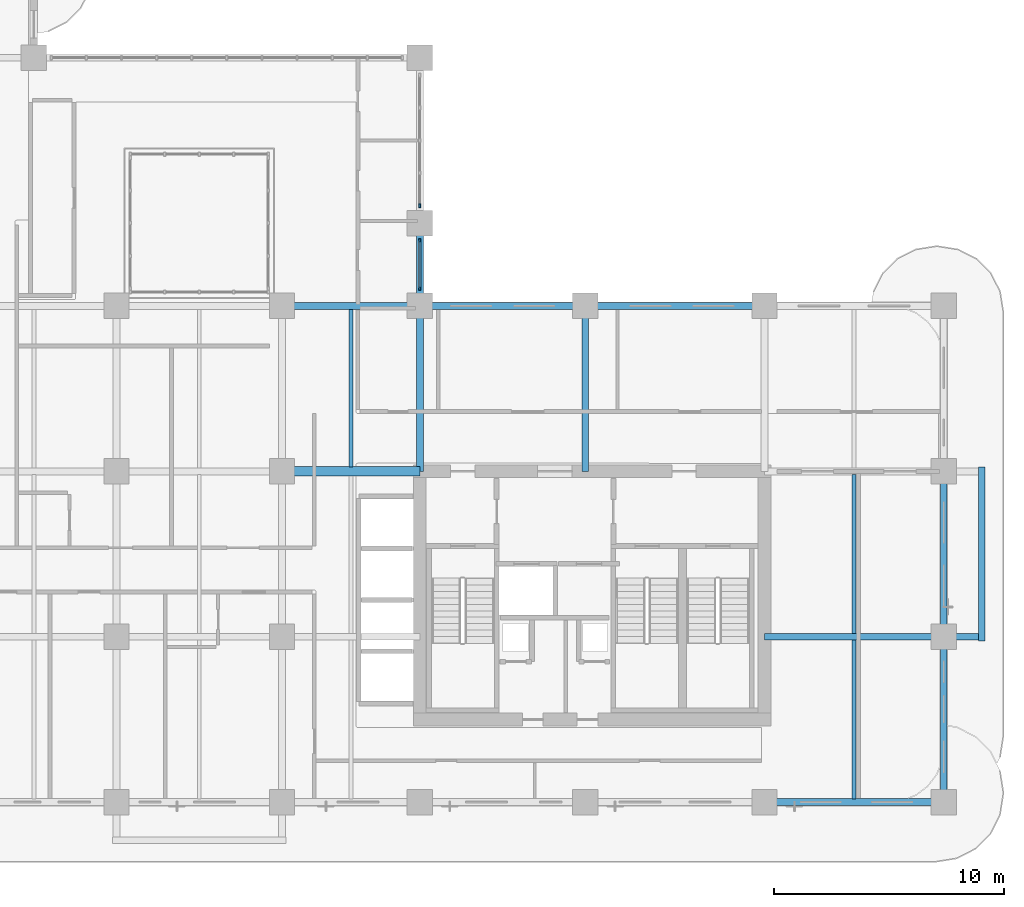
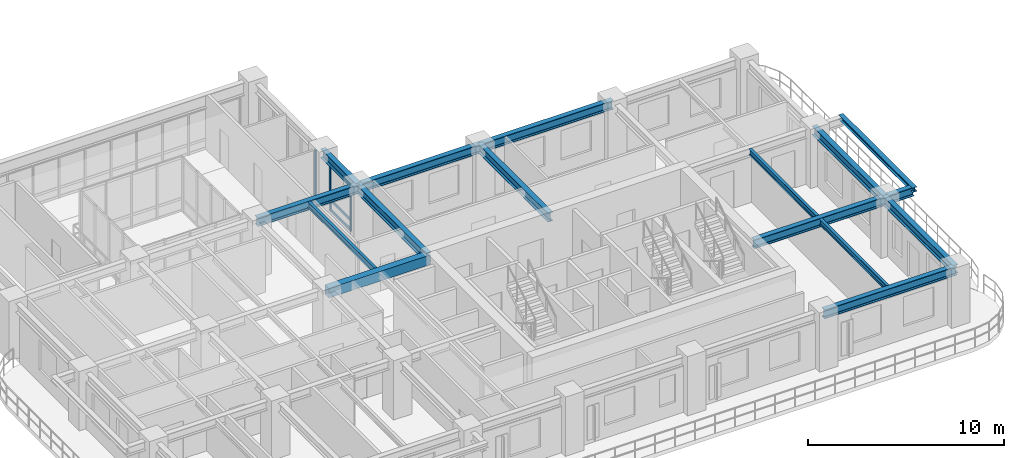
# One storey, part 4 of 22: 15 beams, 6 members, 2 elements without a shape of their own.
"""IFC4 building model written with IfcOpenShell, lengths in metres."""

from ifc_helpers import new_model, si_unit, derived_unit, direction, frame, origin, origin_2d, place, context, subcontext, project, spatial, rectangle, i_section, extrude, source, transform, mapped, material, layer, layer_set, material_profile, profile_set, type_object, type_shapes, element, aggregate, save


model = new_model("IFC4")

# Units and contexts
model_context = context("Model", 3, precision=1e-05, world=origin(), true_north=direction((0.0, 1.0)))
body_context = subcontext(model_context, "Body", "Model", "MODEL_VIEW")
ifc_project = project(units=[si_unit("LENGTHUNIT", "METRE"), si_unit("AREAUNIT", "SQUARE_METRE"), si_unit("VOLUMEUNIT", "CUBIC_METRE"), si_unit("PLANEANGLEUNIT", "RADIAN"), si_unit("MASSUNIT", "GRAM", prefix="KILO"), si_unit("THERMODYNAMICTEMPERATUREUNIT", "KELVIN"), si_unit("POWERUNIT", "WATT"), derived_unit("THERMALTRANSMITTANCEUNIT", [(si_unit("POWERUNIT", "WATT"), 1), (si_unit("AREAUNIT", "SQUARE_METRE"), -1), (si_unit("THERMODYNAMICTEMPERATUREUNIT", "KELVIN"), -1)])], contexts=[model_context])

# Site, building, storey
site_placement = place(None, origin())
site = spatial("IfcSite", under=ifc_project, at=site_placement, CompositionType="ELEMENT")
building_placement = place(site_placement, origin())
building = spatial("IfcBuilding", under=site, at=building_placement, Name="Zahravan Archway Hotel and Residences", CompositionType="ELEMENT")
storey_placement = place(building_placement, frame((0.0, 0.0, 99.0)))
storey = spatial("IfcBuildingStorey", under=building, at=storey_placement, Name="L24", CompositionType="ELEMENT", Elevation=99.0)

# Beams
ifc_material_1 = material(Name="Structural Steel S355JR", Category="steel")
ifc_material_profile_1 = material_profile(ifc_material_1, i_section(OverallWidth=0.280029296875, OverallDepth=0.280029296875, WebThickness=0.010498046875, FlangeThickness=0.01806640625, FilletRadius=0.02392578125, at=origin_2d()), Name="HEB 280", Category="steel")
ifc_profile_set_1 = profile_set([ifc_material_profile_1], Name="Structural Steel S355JR")
beam_type_1 = type_object("IfcBeamType", Name="BM-SPN-HEB280", PredefinedType="SPANDREL", material=ifc_profile_set_1)
shared_shape_1 = source(origin(), body_context, "Body", "SweptSolid", [
    extrude(i_section(OverallWidth=0.280029296875, OverallDepth=0.280029296875, WebThickness=0.010498046875, FlangeThickness=0.01806640625, FilletRadius=0.02392578125, at=origin_2d()), origin(), (0.0, 0.0, 1.0), 7.56005859375),
])
type_shapes(beam_type_1, [shared_shape_1])
beam_1_placement = place(storey_placement, frame((59.25, 7.02001953125, 3.31005859375), z_axis=(0.0, 1.0, 0.0), x_axis=(-1.0, 0.0, 0.0)))
element("IfcBeam", 1, at=beam_1_placement, inside=storey, type_object=beam_type_1, Name="L25 EA Balcony Edge Spandrel", PredefinedType="SPANDREL", context=body_context, shape_type="MappedRepresentation", body=[
    mapped(shared_shape_1, transform((0.0, 0.0, 0.0), scale=1.0)),
])
ifc_material_2 = material(Name="Concrete C60/75", Category="concrete")
ifc_material_profile_2 = material_profile(ifc_material_2, rectangle(XDim=0.39990234375, YDim=0.60009765625, at=origin_2d()), Name="RC-LNT-400x600", Category="concrete")
ifc_profile_set_2 = profile_set([ifc_material_profile_2], Name="Concrete C60/75")
beam_type_2 = type_object("IfcBeamType", Name="LNT-RC-400x600", PredefinedType="LINTEL", material=ifc_profile_set_2)
shared_shape_2 = source(origin(), body_context, "Body", "SweptSolid", [
    extrude(rectangle(XDim=0.39990234375, YDim=0.60009765625, at=origin_2d()), origin(), (0.0, 0.0, 1.0), 6.0),
])
type_shapes(beam_type_2, [shared_shape_2])
beam_2_placement = place(storey_placement, frame((28.800048828125, 14.39990234375, 3.14990234375), z_axis=(1.0, 0.0, 0.0), x_axis=(0.0, 1.0, 0.0)))
element("IfcBeam", 2, at=beam_2_placement, inside=storey, type_object=beam_type_2, Name="L24 Core A Coupling Lintel Beam", PredefinedType="LINTEL", context=body_context, shape_type="MappedRepresentation", body=[
    mapped(shared_shape_2, transform((0.0, 0.0, 0.0), scale=1.0)),
])
ifc_material_profile_3 = material_profile(ifc_material_1, i_section(OverallWidth=0.300048828125, OverallDepth=0.550048828125, WebThickness=0.014892578125, FlangeThickness=0.029052734375, FilletRadius=0.027099609375, at=origin_2d()), Name="HEB 550", Category="steel")
ifc_profile_set_3 = profile_set([ifc_material_profile_3], Name="Structural Steel S355JR")
beam_type_3 = type_object("IfcBeamType", Name="BM-PRI-HEB550", PredefinedType="BEAM", material=ifc_profile_set_3)
shared_shape_3 = source(origin(), body_context, "Body", "SweptSolid", [
    extrude(i_section(OverallWidth=0.300048828125, OverallDepth=0.550048828125, WebThickness=0.014892578125, FlangeThickness=0.029052734375, FilletRadius=0.027099609375, at=origin_2d()), origin(), (0.0, 0.0, 1.0), 7.2001953125),
])
type_shapes(beam_type_3, [shared_shape_3])
for number, where, z_axis, x_axis, name in (
    (3, (34.800048828125, 14.39990234375, 3.175048828125), (0.0, 1.0, 0.0), (-1.0, 0.0, 0.0), "L24 Primary Girder NS-45"),
    (4, (42.0, 14.39990234375, 3.175048828125), (0.0, 1.0, 0.0), (-1.0, 0.0, 0.0), "L24 Primary Girder NS-48"),
):
    element("IfcBeam", number, at=place(storey_placement, frame(where, z_axis=z_axis, x_axis=x_axis)), inside=storey, type_object=beam_type_3, Name=name, PredefinedType="BEAM", context=body_context, shape_type="MappedRepresentation", body=[
        mapped(shared_shape_3, transform((0.0, 0.0, 0.0), scale=1.0)),
    ])
shared_shape_4 = source(origin(), body_context, "Body", "SweptSolid", [
    extrude(i_section(OverallWidth=0.300048828125, OverallDepth=0.550048828125, WebThickness=0.014892578125, FlangeThickness=0.029052734375, FilletRadius=0.027099609375, at=origin_2d()), origin(), (0.0, 0.0, 1.0), 7.199951171875),
])
for number, where, z_axis, x_axis, name in (
    (5, (34.800048828125, 21.60009765625, 3.175048828125), (1.0, 0.0, 0.0), (0.0, 1.0, 0.0), "L24 Primary Girder EW-17"),
    (6, (57.60009765625, 0.0, 3.175048828125), (0.0, 1.0, 0.0), (-1.0, 0.0, 0.0), "L24 Primary Girder NS-50"),
    (7, (57.60009765625, 7.199951171875, 3.175048828125), (0.0, 1.0, 0.0), (-1.0, 0.0, 0.0), "L24 Primary Girder NS-51"),
):
    element("IfcBeam", number, at=place(storey_placement, frame(where, z_axis=z_axis, x_axis=x_axis)), inside=storey, type_object=beam_type_3, Name=name, PredefinedType="BEAM", context=body_context, shape_type="MappedRepresentation", body=[
        mapped(shared_shape_4, transform((0.0, 0.0, 0.0), scale=1.0)),
    ])
shared_shape_5 = source(origin(), body_context, "Body", "SweptSolid", [
    extrude(i_section(OverallWidth=0.300048828125, OverallDepth=0.550048828125, WebThickness=0.014892578125, FlangeThickness=0.029052734375, FilletRadius=0.027099609375, at=origin_2d()), origin(), (0.0, 0.0, 1.0), 6.0),
])
beam_3_placement = place(storey_placement, frame((28.800048828125, 21.60009765625, 3.175048828125), z_axis=(1.0, 0.0, 0.0), x_axis=(0.0, 1.0, 0.0)))
element("IfcBeam", 8, at=beam_3_placement, inside=storey, type_object=beam_type_3, Name="L24 Primary Girder EW-16", PredefinedType="BEAM", context=body_context, shape_type="MappedRepresentation", body=[
    mapped(shared_shape_5, transform((0.0, 0.0, 0.0), scale=1.0)),
])
shared_shape_6 = source(origin(), body_context, "Body", "SweptSolid", [
    extrude(i_section(OverallWidth=0.300048828125, OverallDepth=0.550048828125, WebThickness=0.014892578125, FlangeThickness=0.029052734375, FilletRadius=0.027099609375, at=origin_2d()), origin(), (0.0, 0.0, 1.0), 7.800048828125),
])
for number, where, z_axis, x_axis, name in (
    (9, (49.800048828125, 0.0, 3.175048828125), (1.0, 0.0, 0.0), (0.0, 1.0, 0.0), "L24 Primary Girder EW-06"),
    (10, (42.0, 21.60009765625, 3.175048828125), (1.0, 0.0, 0.0), (0.0, 1.0, 0.0), "L24 Primary Girder EW-18"),
):
    element("IfcBeam", number, at=place(storey_placement, frame(where, z_axis=z_axis, x_axis=x_axis)), inside=storey, type_object=beam_type_3, Name=name, PredefinedType="BEAM", context=body_context, shape_type="MappedRepresentation", body=[
        mapped(shared_shape_6, transform((0.0, 0.0, 0.0), scale=1.0)),
    ])
shared_shape_7 = source(origin(), body_context, "Body", "SweptSolid", [
    extrude(i_section(OverallWidth=0.300048828125, OverallDepth=0.550048828125, WebThickness=0.014892578125, FlangeThickness=0.029052734375, FilletRadius=0.027099609375, at=origin_2d()), origin(), (0.0, 0.0, 1.0), 9.449951171875),
])
beam_4_placement = place(storey_placement, frame((49.800048828125, 7.199951171875, 3.175048828125), z_axis=(1.0, 0.0, 0.0), x_axis=(0.0, 1.0, 0.0)))
element("IfcBeam", 11, at=beam_4_placement, inside=storey, type_object=beam_type_3, Name="L24 Primary Girder EW-10", PredefinedType="BEAM", context=body_context, shape_type="MappedRepresentation", body=[
    mapped(shared_shape_7, transform((0.0, 0.0, 0.0), scale=1.0)),
])
shared_shape_8 = source(origin(), body_context, "Body", "SweptSolid", [
    extrude(i_section(OverallWidth=0.300048828125, OverallDepth=0.550048828125, WebThickness=0.014892578125, FlangeThickness=0.029052734375, FilletRadius=0.027099609375, at=origin_2d()), origin(), (0.0, 0.0, 1.0), 3.599853515625),
])
beam_5_placement = place(storey_placement, frame((34.800048828125, 21.60009765625, 3.175048828125), z_axis=(0.0, 1.0, 0.0), x_axis=(-1.0, 0.0, 0.0)))
element("IfcBeam", 12, at=beam_5_placement, inside=storey, type_object=beam_type_3, Name="L24 Primary Girder NS-46", PredefinedType="BEAM", context=body_context, shape_type="MappedRepresentation", body=[
    mapped(shared_shape_8, transform((0.0, 0.0, 0.0), scale=1.0)),
])
ifc_material_profile_4 = material_profile(ifc_material_1, i_section(OverallWidth=0.169921875, OverallDepth=0.360107421875, WebThickness=0.008056640625, FlangeThickness=0.0126953125, FilletRadius=0.01806640625, at=origin_2d()), Name="IPE 360", Category="steel")
ifc_profile_set_4 = profile_set([ifc_material_profile_4], Name="Structural Steel S355JR")
beam_type_4 = type_object("IfcBeamType", Name="BM-JST-IPE360", PredefinedType="JOIST", material=ifc_profile_set_4)
shared_shape_9 = source(origin(), body_context, "Body", "SweptSolid", [
    extrude(i_section(OverallWidth=0.169921875, OverallDepth=0.360107421875, WebThickness=0.008056640625, FlangeThickness=0.0126953125, FilletRadius=0.01806640625, at=origin_2d()), origin(), (0.0, 0.0, 1.0), 6.904052734375),
])
type_shapes(beam_type_4, [shared_shape_9])
for number, where, z_axis, x_axis, name in (
    (13, (53.699951171875, 0.14794921875, 3.27001953125), (0.0, 1.0, 0.0), (-1.0, 0.0, 0.0), "L24 Composite Floor Joist 04"),
    (14, (53.699951171875, 7.347900390625, 3.27001953125), (0.0, 1.0, 0.0), (-1.0, 0.0, 0.0), "L24 Composite Floor Joist 08"),
):
    element("IfcBeam", number, at=place(storey_placement, frame(where, z_axis=z_axis, x_axis=x_axis)), inside=storey, type_object=beam_type_4, Name=name, PredefinedType="JOIST", context=body_context, shape_type="MappedRepresentation", body=[
        mapped(shared_shape_9, transform((0.0, 0.0, 0.0), scale=1.0)),
    ])
shared_shape_10 = source(origin(), body_context, "Body", "SweptSolid", [
    extrude(i_section(OverallWidth=0.169921875, OverallDepth=0.360107421875, WebThickness=0.008056640625, FlangeThickness=0.0126953125, FilletRadius=0.01806640625, at=origin_2d()), origin(), (0.0, 0.0, 1.0), 6.85400390625),
])
beam_6_placement = place(storey_placement, frame((31.800048828125, 14.597900390625, 3.27001953125), z_axis=(0.0, 1.0, 0.0), x_axis=(-1.0, 0.0, 0.0)))
element("IfcBeam", 15, at=beam_6_placement, inside=storey, type_object=beam_type_4, Name="L24 Composite Floor Joist 09", PredefinedType="JOIST", context=body_context, shape_type="MappedRepresentation", body=[
    mapped(shared_shape_10, transform((0.0, 0.0, 0.0), scale=1.0)),
])

# Curtain wall, members
ifc_material_3 = material(Name="Bronze-Anodized Unitised Aluminium & Low-E Glass", Category="aluminium")
ifc_layer = layer(ifc_material_3, 0.179931640625, Name="Bronze-Anodized Unitised Aluminium & Low-E Glass", Category="aluminium")
ifc_layer_set = layer_set([ifc_layer], Name="Bronze-Anodized Unitised Aluminium & Low-E Glass")
curtain_wall_type = type_object("IfcCurtainWallType", Name="CW-TWR-FEAT", PredefinedType="NOTDEFINED", material=ifc_layer_set)
curtain_wall_1_placement = place(storey_placement, origin())
curtain_wall_1 = element("IfcCurtainWall", 16, at=curtain_wall_1_placement, inside=storey, type_object=curtain_wall_type, Name="L24 Curtain Wall CW-L24-HNG-E-1", PredefinedType="NOTDEFINED")
ifc_material_4 = material(Name="Bronze-Anodized Extruded Aluminium", Category="aluminium")
ifc_material_profile_5 = material_profile(ifc_material_4, rectangle(XDim=0.080078125, YDim=0.159912109375, at=origin_2d()), Name="MUL 80x160", Category="aluminium")
ifc_profile_set_5 = profile_set([ifc_material_profile_5], Name="Bronze-Anodized Extruded Aluminium")
member_type_1 = type_object("IfcMemberType", Name="CWM-MUL-160", PredefinedType="MULLION", material=ifc_profile_set_5)
shared_shape_11 = source(origin(), body_context, "Body", "SweptSolid", [
    extrude(rectangle(XDim=0.080078125, YDim=0.159912109375, at=origin_2d()), origin(), (0.0, 0.0, 1.0), 2.885009765625),
])
member_1_placement = place(storey_placement, frame((34.800048828125, 22.360107421875, 0.0), z_axis=(0.0, 0.0, 1.0), x_axis=(1.0, 0.0, 0.0)))
member_1 = element("IfcMember", 17, at=member_1_placement, type_object=member_type_1, Name="CW-L24-HNG-E-1 Mullion 0", PredefinedType="MULLION", context=body_context, shape_type="MappedRepresentation", body=[
    mapped(shared_shape_11, transform((0.0, 0.0, 0.0), scale=1.0)),
])
member_2_placement = place(storey_placement, frame((34.800048828125, 24.43994140625, 0.0), z_axis=(0.0, 0.0, 1.0), x_axis=(1.0, 0.0, 0.0)))
member_2 = element("IfcMember", 18, at=member_2_placement, type_object=member_type_1, Name="CW-L24-HNG-E-1 Mullion 1", PredefinedType="MULLION", context=body_context, shape_type="MappedRepresentation", body=[
    mapped(shared_shape_11, transform((0.0, 0.0, 0.0), scale=1.0)),
])

# Curtain wall, member
curtain_wall_2_placement = place(storey_placement, origin())
curtain_wall_2 = element("IfcCurtainWall", 19, at=curtain_wall_2_placement, inside=storey, type_object=curtain_wall_type, Name="L24 Curtain Wall CW-L24-HNG-E-2", PredefinedType="NOTDEFINED")
member_3_placement = place(storey_placement, frame((34.800048828125, 25.9599609375, 0.0), z_axis=(0.0, 0.0, 1.0), x_axis=(1.0, 0.0, 0.0)))
member_3 = element("IfcMember", 20, at=member_3_placement, type_object=member_type_1, Name="CW-L24-HNG-E-2 Mullion 0", PredefinedType="MULLION", context=body_context, shape_type="MappedRepresentation", body=[
    mapped(shared_shape_11, transform((0.0, 0.0, 0.0), scale=1.0)),
])
aggregate(curtain_wall_2, [member_3])

# Member
ifc_material_profile_6 = material_profile(ifc_material_4, rectangle(XDim=0.080078125, YDim=0.139892578125, at=origin_2d()), Name="TRN 80x140", Category="aluminium")
ifc_profile_set_6 = profile_set([ifc_material_profile_6], Name="Bronze-Anodized Extruded Aluminium")
member_type_2 = type_object("IfcMemberType", Name="CWM-TRN-140", PredefinedType="USERDEFINED", material=ifc_profile_set_6)
shared_shape_12 = source(origin(), body_context, "Body", "SweptSolid", [
    extrude(rectangle(XDim=0.080078125, YDim=0.139892578125, at=origin_2d()), origin(), (0.0, 0.0, 1.0), 2.0),
])
member_4_placement = place(storey_placement, frame((34.800048828125, 22.39990234375, 0.070068359375), z_axis=(0.0, 1.0, 0.0), x_axis=(-1.0, 0.0, 0.0)))
member_4 = element("IfcMember", 21, at=member_4_placement, type_object=member_type_2, Name="CW-L24-HNG-E-1 Transom 0-1", ObjectType="TRANSOM", PredefinedType="USERDEFINED", context=body_context, shape_type="MappedRepresentation", body=[
    mapped(shared_shape_12, transform((0.0, 0.0, 0.0), scale=1.0)),
])

member_5_placement = place(storey_placement, frame((34.800048828125, 22.39990234375, 0.6923828125), z_axis=(0.0, 1.0, 0.0), x_axis=(-1.0, 0.0, 0.0)))
member_5 = element("IfcMember", 22, at=member_5_placement, type_object=member_type_2, Name="CW-L24-HNG-E-1 Transom 0-2", ObjectType="TRANSOM", PredefinedType="USERDEFINED", context=body_context, shape_type="MappedRepresentation", body=[
    mapped(shared_shape_12, transform((0.0, 0.0, 0.0), scale=1.0)),
])

member_6_placement = place(storey_placement, frame((34.800048828125, 22.39990234375, 2.81494140625), z_axis=(0.0, 1.0, 0.0), x_axis=(-1.0, 0.0, 0.0)))
member_6 = element("IfcMember", 23, at=member_6_placement, type_object=member_type_2, Name="CW-L24-HNG-E-1 Transom 0-3", ObjectType="TRANSOM", PredefinedType="USERDEFINED", context=body_context, shape_type="MappedRepresentation", body=[
    mapped(shared_shape_12, transform((0.0, 0.0, 0.0), scale=1.0)),
])

aggregate(curtain_wall_1, [member_1, member_2, member_4, member_5, member_6])

save(model, "model.ifc")
